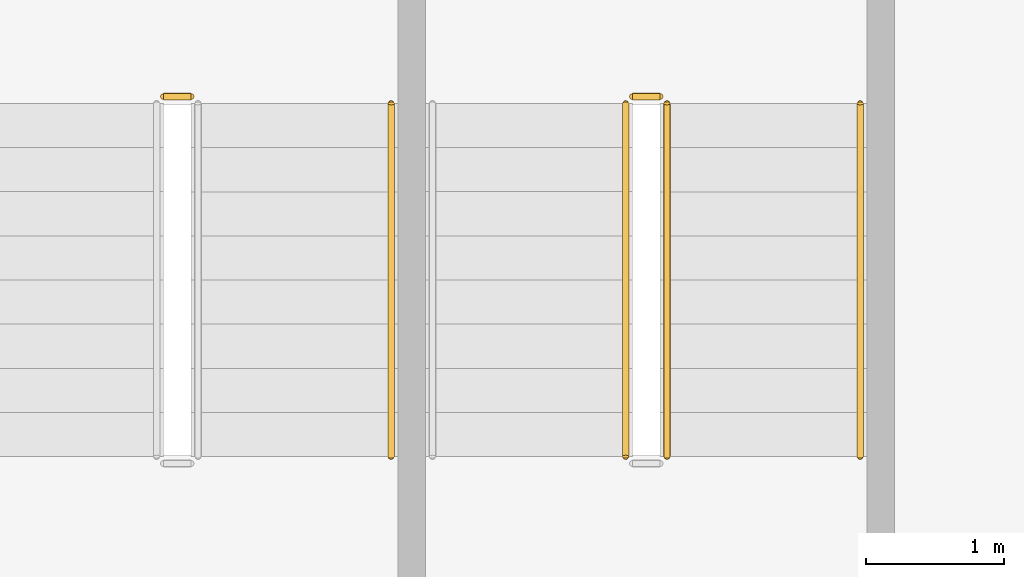
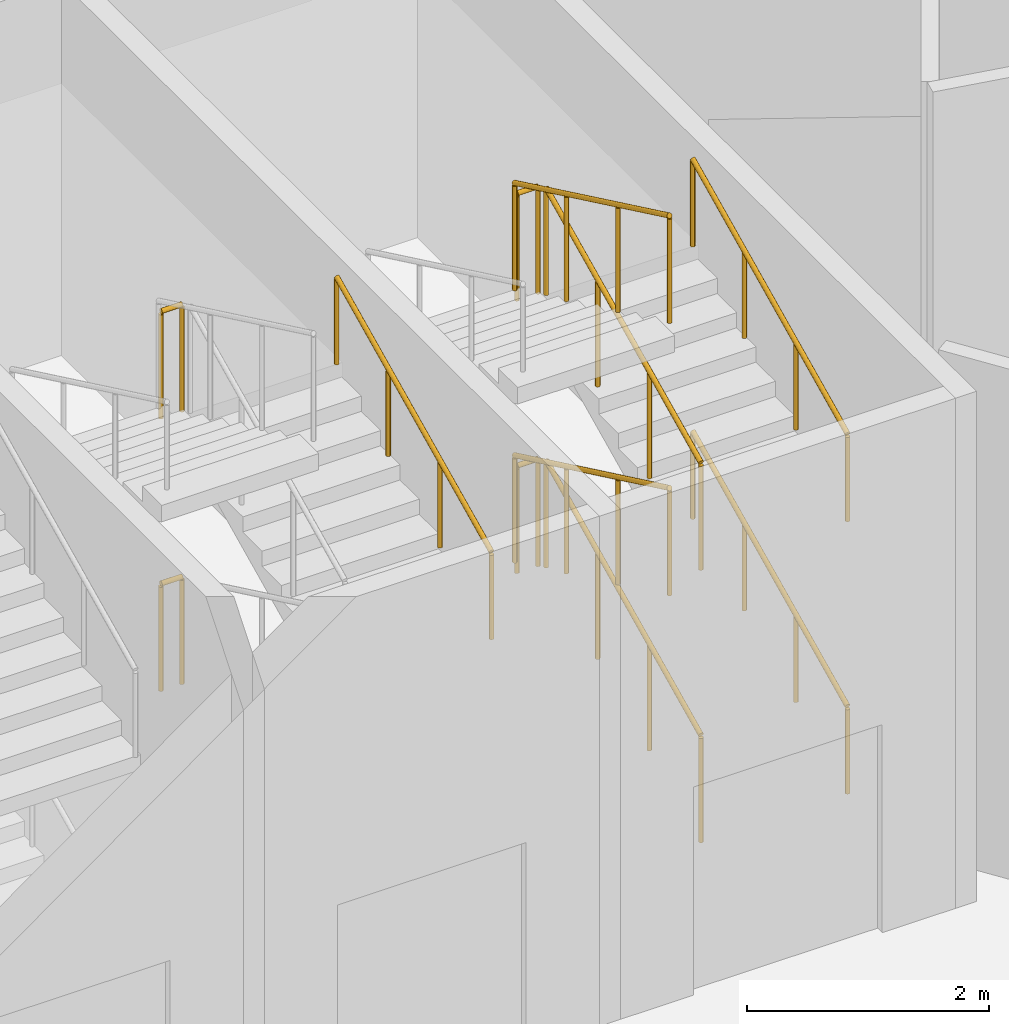
# One storey, part 267 of 271: 11 railings.
"""IFC4 building model written with IfcOpenShell, lengths in metres."""

from ifc_helpers import new_model, si_unit, direction, frame, origin, origin_2d, place, context, subcontext, project, spatial, circle, extrude, material, type_object, element, save


model = new_model("IFC4")

# Units and contexts
model_context = context("Model", 3, precision=1e-05, world=origin(), true_north=direction((0.0, 1.0)))
body_context = subcontext(model_context, "Body", "Model", "MODEL_VIEW")
ifc_project = project(units=[si_unit("LENGTHUNIT", "METRE"), si_unit("AREAUNIT", "SQUARE_METRE"), si_unit("VOLUMEUNIT", "CUBIC_METRE"), si_unit("PLANEANGLEUNIT", "RADIAN"), si_unit("MASSUNIT", "GRAM", prefix="KILO")], contexts=[model_context])

# Site, building, storey
site_placement = place(None, origin())
site = spatial("IfcSite", under=ifc_project, at=site_placement, CompositionType="ELEMENT")
building_placement = place(site_placement, origin())
building = spatial("IfcBuilding", under=site, at=building_placement, Name="Meseta Stadium", CompositionType="ELEMENT")
storey_placement = place(building_placement, frame((0.0, 0.0, 6.5)))
storey = spatial("IfcBuildingStorey", under=building, at=storey_placement, Name="L01", CompositionType="ELEMENT", Elevation=6.5)

# Railings
ifc_material_1 = material(Name="Steel S355", Category="steel")
railing_type_1 = type_object("IfcRailingType", Name="Stair guard 1100", PredefinedType="GUARDRAIL", material=ifc_material_1)
railing_1_placement = place(storey_placement, frame((43.583251953125, 94.199951171875, 0.15283203125)))
element("IfcRailing", 1, at=railing_1_placement, inside=storey, type_object=railing_type_1, Name="ST33 L01 guard 1", PredefinedType="GUARDRAIL", context=body_context, shape_type="SweptSolid", body=[
    extrude(circle(Radius=0.02392578125, at=origin_2d()), frame((0.0, 0.0, 1.076171875), z_axis=(0.0, 0.902436934422, 0.430821981091), x_axis=(-1.0, 0.0, 0.0)), (0.0, 0.0, 1.0), 2.8369140625),
    extrude(circle(Radius=0.02099609375, at=origin_2d()), origin(), (0.0, 0.0, 1.0), 1.052001953125),
    extrude(circle(Radius=0.02099609375, at=origin_2d()), frame((0.0, 0.853271484375, 0.407470703125)), (0.0, 0.0, 1.0), 1.052001953125),
    extrude(circle(Radius=0.02099609375, at=origin_2d()), frame((0.0, 1.706787109375, 0.814697265625)), (0.0, 0.0, 1.0), 1.052001953125),
    extrude(circle(Radius=0.02099609375, at=origin_2d()), frame((0.0, 2.56005859375, 1.22216796875)), (0.0, 0.0, 1.0), 1.052001953125),
])
railing_2_placement = place(storey_placement, frame((43.533447265625, 96.81005859375, 1.375)))
element("IfcRailing", 2, at=railing_2_placement, inside=storey, type_object=railing_type_1, Name="ST33 L01 guard 2", PredefinedType="GUARDRAIL", context=body_context, shape_type="SweptSolid", body=[
    extrude(circle(Radius=0.02392578125, at=origin_2d()), frame((0.0, 0.0, 1.076171875), z_axis=(-1.0, 0.0, 0.0), x_axis=(0.0, -1.0, 0.0)), (0.0, 0.0, 1.0), 0.2001953125),
    extrude(circle(Radius=0.02099609375, at=origin_2d()), origin(), (0.0, 0.0, 1.0), 1.052001953125),
    extrude(circle(Radius=0.02099609375, at=origin_2d()), frame((-0.2001953125, 0.0, 0.0)), (0.0, 0.0, 1.0), 1.052001953125),
])
railing_3_placement = place(storey_placement, frame((43.283447265625, 96.760009765625, 1.52783203125)))
element("IfcRailing", 3, at=railing_3_placement, inside=storey, type_object=railing_type_1, Name="ST33 L01 guard 3", PredefinedType="GUARDRAIL", context=body_context, shape_type="SweptSolid", body=[
    extrude(circle(Radius=0.02392578125, at=origin_2d()), frame((0.0, 0.0, 1.076171875), z_axis=(0.0, -0.902436934422, 0.430821981091), x_axis=(1.0, 0.0, 0.0)), (0.0, 0.0, 1.0), 2.8369140625),
    extrude(circle(Radius=0.02099609375, at=origin_2d()), origin(), (0.0, 0.0, 1.0), 1.052001953125),
    extrude(circle(Radius=0.02099609375, at=origin_2d()), frame((0.0, -0.853271484375, 0.407470703125)), (0.0, 0.0, 1.0), 1.052001953125),
    extrude(circle(Radius=0.02099609375, at=origin_2d()), frame((0.0, -1.706787109375, 0.814697265625)), (0.0, 0.0, 1.0), 1.052001953125),
    extrude(circle(Radius=0.02099609375, at=origin_2d()), frame((0.0, -2.56005859375, 1.22216796875)), (0.0, 0.0, 1.0), 1.052001953125),
])
railing_4_placement = place(storey_placement, frame((43.583251953125, 94.199951171875, 2.90283203125)))
element("IfcRailing", 4, at=railing_4_placement, inside=storey, type_object=railing_type_1, Name="ST33 L01 guard 5", PredefinedType="GUARDRAIL", context=body_context, shape_type="SweptSolid", body=[
    extrude(circle(Radius=0.02392578125, at=origin_2d()), frame((0.0, 0.0, 1.076171875), z_axis=(0.0, 0.902436934422, 0.430821981091), x_axis=(-1.0, 0.0, 0.0)), (0.0, 0.0, 1.0), 2.8369140625),
    extrude(circle(Radius=0.02099609375, at=origin_2d()), origin(), (0.0, 0.0, 1.0), 1.052001953125),
    extrude(circle(Radius=0.02099609375, at=origin_2d()), frame((0.0, 0.853271484375, 0.407470703125)), (0.0, 0.0, 1.0), 1.052001953125),
    extrude(circle(Radius=0.02099609375, at=origin_2d()), frame((0.0, 1.706787109375, 0.814697265625)), (0.0, 0.0, 1.0), 1.052001953125),
    extrude(circle(Radius=0.02099609375, at=origin_2d()), frame((0.0, 2.56005859375, 1.22216796875)), (0.0, 0.0, 1.0), 1.052001953125),
])
railing_5_placement = place(storey_placement, frame((43.533447265625, 96.81005859375, 4.125)))
element("IfcRailing", 5, at=railing_5_placement, inside=storey, type_object=railing_type_1, Name="ST33 L01 guard 6", PredefinedType="GUARDRAIL", context=body_context, shape_type="SweptSolid", body=[
    extrude(circle(Radius=0.02392578125, at=origin_2d()), frame((0.0, 0.0, 1.076171875), z_axis=(-1.0, 0.0, 0.0), x_axis=(0.0, -1.0, 0.0)), (0.0, 0.0, 1.0), 0.2001953125),
    extrude(circle(Radius=0.02099609375, at=origin_2d()), origin(), (0.0, 0.0, 1.0), 1.052001953125),
    extrude(circle(Radius=0.02099609375, at=origin_2d()), frame((-0.2001953125, 0.0, 0.0)), (0.0, 0.0, 1.0), 1.052001953125),
])
railing_6_placement = place(storey_placement, frame((43.283447265625, 96.760009765625, 4.27783203125)))
element("IfcRailing", 6, at=railing_6_placement, inside=storey, type_object=railing_type_1, Name="ST33 L01 guard 7", PredefinedType="GUARDRAIL", context=body_context, shape_type="SweptSolid", body=[
    extrude(circle(Radius=0.02392578125, at=origin_2d()), frame((0.0, 0.0, 1.076171875), z_axis=(0.0, -0.902436934422, 0.430821981091), x_axis=(1.0, 0.0, 0.0)), (0.0, 0.0, 1.0), 2.8369140625),
    extrude(circle(Radius=0.02099609375, at=origin_2d()), origin(), (0.0, 0.0, 1.0), 1.052001953125),
    extrude(circle(Radius=0.02099609375, at=origin_2d()), frame((0.0, -0.853271484375, 0.407470703125)), (0.0, 0.0, 1.0), 1.052001953125),
    extrude(circle(Radius=0.02099609375, at=origin_2d()), frame((0.0, -1.706787109375, 0.814697265625)), (0.0, 0.0, 1.0), 1.052001953125),
    extrude(circle(Radius=0.02099609375, at=origin_2d()), frame((0.0, -2.56005859375, 1.22216796875)), (0.0, 0.0, 1.0), 1.052001953125),
])
for number, where, name in (
    (7, (40.13330078125, 96.81005859375, 1.375), "ST34 L01 guard 2"),
    (8, (40.13330078125, 96.81005859375, 4.125), "ST34 L01 guard 6"),
):
    element("IfcRailing", number, at=place(storey_placement, frame(where)), inside=storey, type_object=railing_type_1, Name=name, PredefinedType="GUARDRAIL", context=body_context, shape_type="SweptSolid", body=[
        extrude(circle(Radius=0.02392578125, at=origin_2d()), frame((0.0, 0.0, 1.076171875), z_axis=(-1.0, 0.0, 0.0), x_axis=(0.0, -1.0, 0.0)), (0.0, 0.0, 1.0), 0.199951171875),
        extrude(circle(Radius=0.02099609375, at=origin_2d()), origin(), (0.0, 0.0, 1.0), 1.052001953125),
        extrude(circle(Radius=0.02099609375, at=origin_2d()), frame((-0.199951171875, 0.0, 0.0)), (0.0, 0.0, 1.0), 1.052001953125),
    ])
ifc_material_2 = material(Name="Steel S355", Category="steel")
railing_type_2 = type_object("IfcRailingType", Name="Stair handrail 900", PredefinedType="HANDRAIL", material=ifc_material_2)
for number, where, name in (
    (9, (44.9833984375, 94.199951171875, 0.15283203125), "ST33 L01 handrail 1"),
    (10, (44.9833984375, 94.199951171875, 2.90283203125), "ST33 L01 handrail 3"),
    (11, (41.583251953125, 94.199951171875, 2.90283203125), "ST34 L01 handrail 3"),
):
    element("IfcRailing", number, at=place(storey_placement, frame(where)), inside=storey, type_object=railing_type_2, Name=name, PredefinedType="HANDRAIL", context=body_context, shape_type="SweptSolid", body=[
        extrude(circle(Radius=0.02392578125, at=origin_2d()), frame((0.0, 0.0, 0.8759765625), z_axis=(0.0, 0.902436934422, 0.430821981091), x_axis=(-1.0, 0.0, 0.0)), (0.0, 0.0, 1.0), 2.8369140625),
        extrude(circle(Radius=0.02099609375, at=origin_2d()), origin(), (0.0, 0.0, 1.0), 0.851806640625),
        extrude(circle(Radius=0.02099609375, at=origin_2d()), frame((0.0, 0.853271484375, 0.407470703125)), (0.0, 0.0, 1.0), 0.851806640625),
        extrude(circle(Radius=0.02099609375, at=origin_2d()), frame((0.0, 1.706787109375, 0.814697265625)), (0.0, 0.0, 1.0), 0.851806640625),
        extrude(circle(Radius=0.02099609375, at=origin_2d()), frame((0.0, 2.56005859375, 1.22216796875)), (0.0, 0.0, 1.0), 0.851806640625),
    ])

save(model, "model.ifc")
